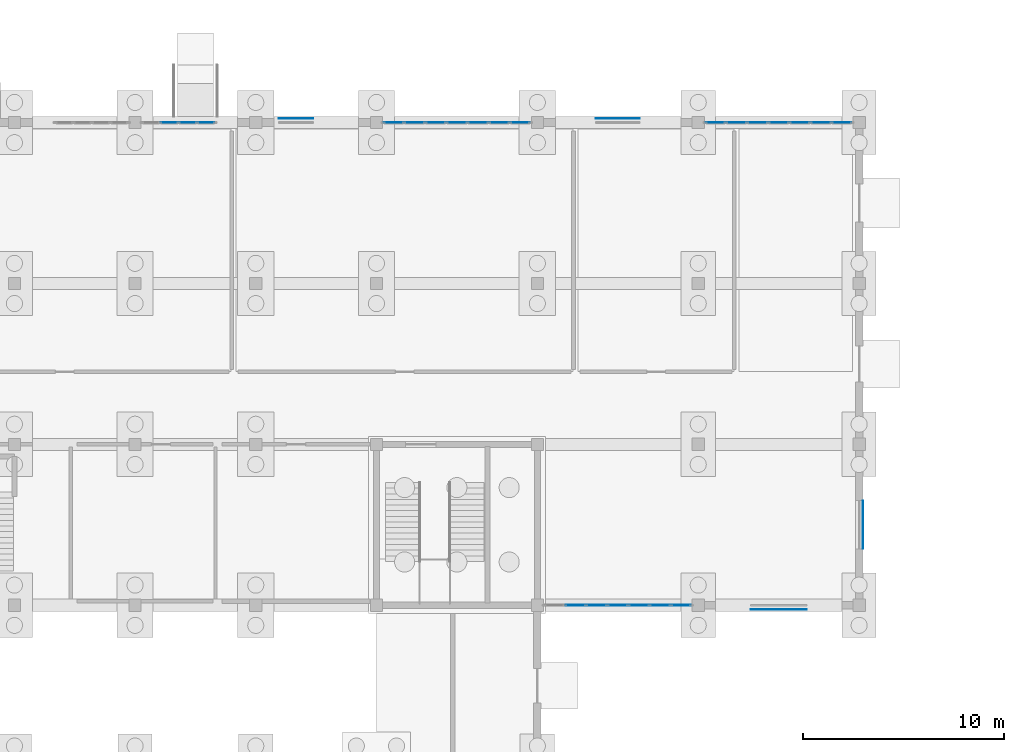
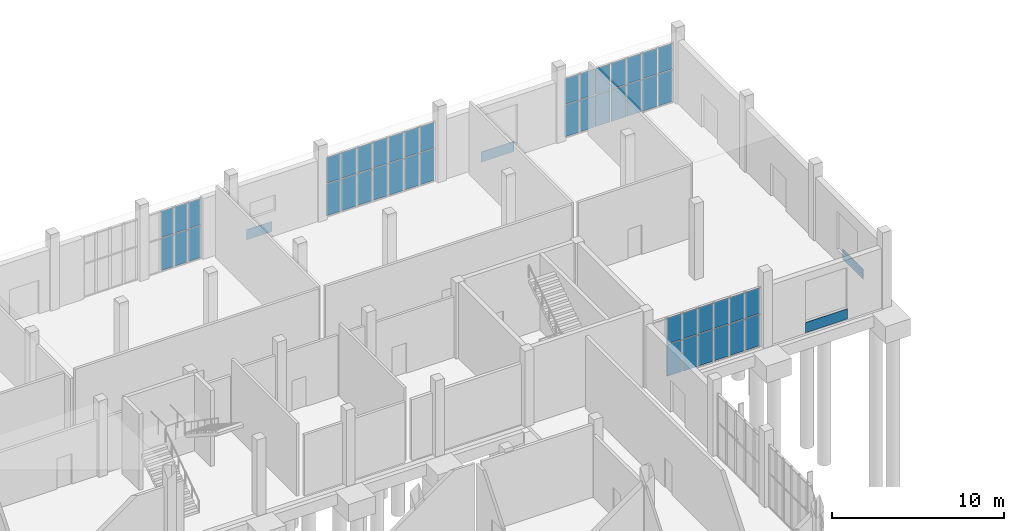
# One storey, part 39 of 69: 50 plates, 4 elements without a shape of their own.
"""IFC4 building model written with IfcOpenShell, lengths in metres."""

from ifc_helpers import new_model, si_unit, direction, frame, origin, origin_2d, place, context, subcontext, project, spatial, rectangle, extrude, material, layer, layer_set, type_object, element, aggregate, save


model = new_model("IFC4")

# Units and contexts
model_context = context("Model", 3, precision=1e-05, world=origin(), true_north=direction((0.0, 1.0)))
body_context = subcontext(model_context, "Body", "Model", "MODEL_VIEW")
ifc_project = project(units=[si_unit("LENGTHUNIT", "METRE"), si_unit("AREAUNIT", "SQUARE_METRE"), si_unit("VOLUMEUNIT", "CUBIC_METRE"), si_unit("PLANEANGLEUNIT", "RADIAN"), si_unit("MASSUNIT", "GRAM", prefix="KILO")], contexts=[model_context])

# Site, building, storey
site_placement = place(None, origin())
site = spatial("IfcSite", under=ifc_project, at=site_placement, CompositionType="ELEMENT")
building_placement = place(site_placement, origin())
building = spatial("IfcBuilding", under=site, at=building_placement, Name="Solvane Community Centre", CompositionType="ELEMENT")
storey_placement = place(building_placement, origin())
storey = spatial("IfcBuildingStorey", under=building, at=storey_placement, Name="L00", CompositionType="ELEMENT", Elevation=0.0)

# Plates
ifc_material_1 = material(Name="Anodised bronze aluminium AW-6063 T6", Category="aluminium")
ifc_layer_1 = layer(ifc_material_1, 0.02392578125)
ifc_layer_set_1 = layer_set([ifc_layer_1], Name="Anodised bronze aluminium AW-6063 T6")
plate_type_1 = type_object("IfcPlateType", Name="Bronze Spandrel Cassette 24mm", PredefinedType="SHEET", material=ifc_layer_set_1)
plate_1_placement = place(storey_placement, frame((56.0, 110.201904296875, 0.06005859375), z_axis=(0.0, 0.0, 1.0), x_axis=(1.0, 0.0, 0.0)))
element("IfcPlate", 1, at=plate_1_placement, inside=storey, type_object=plate_type_1, Name="Art Deco Spandrel SPC-L00-010", PredefinedType="SHEET", context=body_context, shape_type="SweptSolid", body=[
    extrude(rectangle(XDim=1.699951171875, YDim=0.02392578125, at=origin_2d()), origin(), (0.0, 0.0, 1.0), 0.719970703125),
])
plate_2_placement = place(storey_placement, frame((72.0, 110.201904296875, 0.06005859375), z_axis=(0.0, 0.0, 1.0), x_axis=(1.0, 0.0, 0.0)))
element("IfcPlate", 2, at=plate_2_placement, inside=storey, type_object=plate_type_1, Name="Art Deco Spandrel SPC-L00-011", PredefinedType="SHEET", context=body_context, shape_type="SweptSolid", body=[
    extrude(rectangle(XDim=2.199951171875, YDim=0.02392578125, at=origin_2d()), origin(), (0.0, 0.0, 1.0), 0.719970703125),
])
plate_3_placement = place(storey_placement, frame((84.201904296875, 90.0, 0.06005859375), z_axis=(0.0, 0.0, 1.0), x_axis=(0.0, -1.0, 0.0)))
element("IfcPlate", 3, at=plate_3_placement, inside=storey, type_object=plate_type_1, Name="Art Deco Spandrel SPC-L00-012", PredefinedType="SHEET", context=body_context, shape_type="SweptSolid", body=[
    extrude(rectangle(XDim=2.39990234375, YDim=0.02392578125, at=origin_2d()), origin(), (0.0, 0.0, 1.0), 0.719970703125),
])
plate_4_placement = place(storey_placement, frame((80.0, 85.798095703125, 0.06005859375), z_axis=(0.0, 0.0, 1.0), x_axis=(-1.0, 0.0, 0.0)))
element("IfcPlate", 4, at=plate_4_placement, inside=storey, type_object=plate_type_1, Name="Art Deco Spandrel SPC-L00-013", PredefinedType="SHEET", context=body_context, shape_type="SweptSolid", body=[
    extrude(rectangle(XDim=2.800048828125, YDim=0.02392578125, at=origin_2d()), origin(), (0.0, 0.0, 1.0), 0.719970703125),
])

# Curtain wall, plates
ifc_layer_2 = layer(ifc_material_1, 0.18994140625)
ifc_layer_set_2 = layer_set([ifc_layer_2], Name="Anodised bronze aluminium AW-6063 T6")
curtain_wall_type_1 = type_object("IfcCurtainWallType", Name="Boulevard Bronze Vision Curtain Wall [37x43dm]", PredefinedType="NOTDEFINED", material=ifc_layer_set_2)
curtain_wall_1_placement = place(storey_placement, origin())
curtain_wall_1 = element("IfcCurtainWall", 5, at=curtain_wall_1_placement, inside=storey, type_object=curtain_wall_type_1, Name="Curtain Wall CW-L00-483_1100-011", PredefinedType="NOTDEFINED")
ifc_material_2 = material(Name="Tempered low-E double glazing", Category="glass")
ifc_layer_3 = layer(ifc_material_2, 0.028076171875)
ifc_layer_set_3 = layer_set([ifc_layer_3], Name="Tempered low-E double glazing")
plate_type_2 = type_object("IfcPlateType", Name="Low-E Vision Glazing Panel 28mm [37x43dm]", PredefinedType="CURTAIN_PANEL", material=ifc_layer_set_3)
plate_5_placement = place(storey_placement, frame((49.69677734375, 110.0, 0.06005859375), z_axis=(0.0, 0.0, 1.0), x_axis=(1.0, 0.0, 0.0)))
plate_5 = element("IfcPlate", 6, at=plate_5_placement, type_object=plate_type_2, Name="CW02-37x43 panel 2.1", PredefinedType="CURTAIN_PANEL", context=body_context, shape_type="SweptSolid", body=[
    extrude(rectangle(XDim=0.861328125, YDim=0.028076171875, at=origin_2d()), origin(), (0.0, 0.0, 1.0), 2.282958984375),
])
plate_6_placement = place(storey_placement, frame((49.69677734375, 110.0, 2.403076171875), z_axis=(0.0, 0.0, 1.0), x_axis=(1.0, 0.0, 0.0)))
plate_6 = element("IfcPlate", 7, at=plate_6_placement, type_object=plate_type_2, Name="CW02-37x43 panel 2.2", PredefinedType="CURTAIN_PANEL", context=body_context, shape_type="SweptSolid", body=[
    extrude(rectangle(XDim=0.861328125, YDim=0.028076171875, at=origin_2d()), origin(), (0.0, 0.0, 1.0), 1.85205078125),
])
plate_7_placement = place(storey_placement, frame((50.6181640625, 110.0, 0.06005859375), z_axis=(0.0, 0.0, 1.0), x_axis=(1.0, 0.0, 0.0)))
plate_7 = element("IfcPlate", 8, at=plate_7_placement, type_object=plate_type_2, Name="CW02-37x43 panel 3.1", PredefinedType="CURTAIN_PANEL", context=body_context, shape_type="SweptSolid", body=[
    extrude(rectangle(XDim=0.861328125, YDim=0.028076171875, at=origin_2d()), origin(), (0.0, 0.0, 1.0), 2.282958984375),
])
plate_8_placement = place(storey_placement, frame((50.6181640625, 110.0, 2.403076171875), z_axis=(0.0, 0.0, 1.0), x_axis=(1.0, 0.0, 0.0)))
plate_8 = element("IfcPlate", 9, at=plate_8_placement, type_object=plate_type_2, Name="CW02-37x43 panel 3.2", PredefinedType="CURTAIN_PANEL", context=body_context, shape_type="SweptSolid", body=[
    extrude(rectangle(XDim=0.861328125, YDim=0.028076171875, at=origin_2d()), origin(), (0.0, 0.0, 1.0), 1.85205078125),
])
plate_9_placement = place(storey_placement, frame((51.5244140625, 110.0, 0.06005859375), z_axis=(0.0, 0.0, 1.0), x_axis=(1.0, 0.0, 0.0)))
plate_9 = element("IfcPlate", 10, at=plate_9_placement, type_object=plate_type_2, Name="CW02-37x43 panel 4.1", PredefinedType="CURTAIN_PANEL", context=body_context, shape_type="SweptSolid", body=[
    extrude(rectangle(XDim=0.831298828125, YDim=0.028076171875, at=origin_2d()), origin(), (0.0, 0.0, 1.0), 2.282958984375),
])
plate_10_placement = place(storey_placement, frame((51.5244140625, 110.0, 2.403076171875), z_axis=(0.0, 0.0, 1.0), x_axis=(1.0, 0.0, 0.0)))
plate_10 = element("IfcPlate", 11, at=plate_10_placement, type_object=plate_type_2, Name="CW02-37x43 panel 4.2", PredefinedType="CURTAIN_PANEL", context=body_context, shape_type="SweptSolid", body=[
    extrude(rectangle(XDim=0.831298828125, YDim=0.028076171875, at=origin_2d()), origin(), (0.0, 0.0, 1.0), 1.85205078125),
])
aggregate(curtain_wall_1, [plate_5, plate_6, plate_7, plate_8, plate_9, plate_10])

ifc_layer_4 = layer(ifc_material_1, 0.18994140625)
ifc_layer_set_4 = layer_set([ifc_layer_4], Name="Anodised bronze aluminium AW-6063 T6")
curtain_wall_type_2 = type_object("IfcCurtainWallType", Name="Boulevard Bronze Vision Curtain Wall [74x42dm]", PredefinedType="NOTDEFINED", material=ifc_layer_set_4)
curtain_wall_2_placement = place(storey_placement, origin())
curtain_wall_2 = element("IfcCurtainWall", 12, at=curtain_wall_2_placement, inside=storey, type_object=curtain_wall_type_2, Name="Curtain Wall CW-L00-603_1100-012", PredefinedType="NOTDEFINED")
ifc_layer_5 = layer(ifc_material_2, 0.028076171875)
ifc_layer_set_5 = layer_set([ifc_layer_5], Name="Tempered low-E double glazing")
plate_type_3 = type_object("IfcPlateType", Name="Low-E Vision Glazing Panel 28mm [74x42dm]", PredefinedType="CURTAIN_PANEL", material=ifc_layer_set_5)
plate_11_placement = place(storey_placement, frame((60.8564453125, 110.0, 0.06005859375), z_axis=(0.0, 0.0, 1.0), x_axis=(1.0, 0.0, 0.0)))
plate_11 = element("IfcPlate", 13, at=plate_11_placement, type_object=plate_type_3, Name="CW02-74x42 panel 1.1", PredefinedType="CURTAIN_PANEL", context=body_context, shape_type="SweptSolid", body=[
    extrude(rectangle(XDim=0.962890625, YDim=0.028076171875, at=origin_2d()), origin(), (0.0, 0.0, 1.0), 2.2451171875),
])
plate_12_placement = place(storey_placement, frame((60.8564453125, 110.0, 2.36474609375), z_axis=(0.0, 0.0, 1.0), x_axis=(1.0, 0.0, 0.0)))
plate_12 = element("IfcPlate", 14, at=plate_12_placement, type_object=plate_type_3, Name="CW02-74x42 panel 1.2", PredefinedType="CURTAIN_PANEL", context=body_context, shape_type="SweptSolid", body=[
    extrude(rectangle(XDim=0.962890625, YDim=0.028076171875, at=origin_2d()), origin(), (0.0, 0.0, 1.0), 1.820068359375),
])
plate_13_placement = place(storey_placement, frame((61.894287109375, 110.0, 0.06005859375), z_axis=(0.0, 0.0, 1.0), x_axis=(1.0, 0.0, 0.0)))
plate_13 = element("IfcPlate", 15, at=plate_13_placement, type_object=plate_type_3, Name="CW02-74x42 panel 2.1", PredefinedType="CURTAIN_PANEL", context=body_context, shape_type="SweptSolid", body=[
    extrude(rectangle(XDim=0.992919921875, YDim=0.028076171875, at=origin_2d()), origin(), (0.0, 0.0, 1.0), 2.2451171875),
])
plate_14_placement = place(storey_placement, frame((61.894287109375, 110.0, 2.36474609375), z_axis=(0.0, 0.0, 1.0), x_axis=(1.0, 0.0, 0.0)))
plate_14 = element("IfcPlate", 16, at=plate_14_placement, type_object=plate_type_3, Name="CW02-74x42 panel 2.2", PredefinedType="CURTAIN_PANEL", context=body_context, shape_type="SweptSolid", body=[
    extrude(rectangle(XDim=0.992919921875, YDim=0.028076171875, at=origin_2d()), origin(), (0.0, 0.0, 1.0), 1.820068359375),
])
plate_15_placement = place(storey_placement, frame((62.947021484375, 110.0, 0.06005859375), z_axis=(0.0, 0.0, 1.0), x_axis=(1.0, 0.0, 0.0)))
plate_15 = element("IfcPlate", 17, at=plate_15_placement, type_object=plate_type_3, Name="CW02-74x42 panel 3.1", PredefinedType="CURTAIN_PANEL", context=body_context, shape_type="SweptSolid", body=[
    extrude(rectangle(XDim=0.992919921875, YDim=0.028076171875, at=origin_2d()), origin(), (0.0, 0.0, 1.0), 2.2451171875),
])
plate_16_placement = place(storey_placement, frame((62.947021484375, 110.0, 2.36474609375), z_axis=(0.0, 0.0, 1.0), x_axis=(1.0, 0.0, 0.0)))
plate_16 = element("IfcPlate", 18, at=plate_16_placement, type_object=plate_type_3, Name="CW02-74x42 panel 3.2", PredefinedType="CURTAIN_PANEL", context=body_context, shape_type="SweptSolid", body=[
    extrude(rectangle(XDim=0.992919921875, YDim=0.028076171875, at=origin_2d()), origin(), (0.0, 0.0, 1.0), 1.820068359375),
])
plate_17_placement = place(storey_placement, frame((64.0, 110.0, 0.06005859375), z_axis=(0.0, 0.0, 1.0), x_axis=(1.0, 0.0, 0.0)))
plate_17 = element("IfcPlate", 19, at=plate_17_placement, type_object=plate_type_3, Name="CW02-74x42 panel 4.1", PredefinedType="CURTAIN_PANEL", context=body_context, shape_type="SweptSolid", body=[
    extrude(rectangle(XDim=0.992919921875, YDim=0.028076171875, at=origin_2d()), origin(), (0.0, 0.0, 1.0), 2.2451171875),
])
plate_18_placement = place(storey_placement, frame((64.0, 110.0, 2.36474609375), z_axis=(0.0, 0.0, 1.0), x_axis=(1.0, 0.0, 0.0)))
plate_18 = element("IfcPlate", 20, at=plate_18_placement, type_object=plate_type_3, Name="CW02-74x42 panel 4.2", PredefinedType="CURTAIN_PANEL", context=body_context, shape_type="SweptSolid", body=[
    extrude(rectangle(XDim=0.992919921875, YDim=0.028076171875, at=origin_2d()), origin(), (0.0, 0.0, 1.0), 1.820068359375),
])
plate_19_placement = place(storey_placement, frame((65.052978515625, 110.0, 0.06005859375), z_axis=(0.0, 0.0, 1.0), x_axis=(1.0, 0.0, 0.0)))
plate_19 = element("IfcPlate", 21, at=plate_19_placement, type_object=plate_type_3, Name="CW02-74x42 panel 5.1", PredefinedType="CURTAIN_PANEL", context=body_context, shape_type="SweptSolid", body=[
    extrude(rectangle(XDim=0.992919921875, YDim=0.028076171875, at=origin_2d()), origin(), (0.0, 0.0, 1.0), 2.2451171875),
])
plate_20_placement = place(storey_placement, frame((65.052978515625, 110.0, 2.36474609375), z_axis=(0.0, 0.0, 1.0), x_axis=(1.0, 0.0, 0.0)))
plate_20 = element("IfcPlate", 22, at=plate_20_placement, type_object=plate_type_3, Name="CW02-74x42 panel 5.2", PredefinedType="CURTAIN_PANEL", context=body_context, shape_type="SweptSolid", body=[
    extrude(rectangle(XDim=0.992919921875, YDim=0.028076171875, at=origin_2d()), origin(), (0.0, 0.0, 1.0), 1.820068359375),
])
plate_21_placement = place(storey_placement, frame((66.105712890625, 110.0, 0.06005859375), z_axis=(0.0, 0.0, 1.0), x_axis=(1.0, 0.0, 0.0)))
plate_21 = element("IfcPlate", 23, at=plate_21_placement, type_object=plate_type_3, Name="CW02-74x42 panel 6.1", PredefinedType="CURTAIN_PANEL", context=body_context, shape_type="SweptSolid", body=[
    extrude(rectangle(XDim=0.992919921875, YDim=0.028076171875, at=origin_2d()), origin(), (0.0, 0.0, 1.0), 2.2451171875),
])
plate_22_placement = place(storey_placement, frame((66.105712890625, 110.0, 2.36474609375), z_axis=(0.0, 0.0, 1.0), x_axis=(1.0, 0.0, 0.0)))
plate_22 = element("IfcPlate", 24, at=plate_22_placement, type_object=plate_type_3, Name="CW02-74x42 panel 6.2", PredefinedType="CURTAIN_PANEL", context=body_context, shape_type="SweptSolid", body=[
    extrude(rectangle(XDim=0.992919921875, YDim=0.028076171875, at=origin_2d()), origin(), (0.0, 0.0, 1.0), 1.820068359375),
])
plate_23_placement = place(storey_placement, frame((67.1435546875, 110.0, 0.06005859375), z_axis=(0.0, 0.0, 1.0), x_axis=(1.0, 0.0, 0.0)))
plate_23 = element("IfcPlate", 25, at=plate_23_placement, type_object=plate_type_3, Name="CW02-74x42 panel 7.1", PredefinedType="CURTAIN_PANEL", context=body_context, shape_type="SweptSolid", body=[
    extrude(rectangle(XDim=0.962890625, YDim=0.028076171875, at=origin_2d()), origin(), (0.0, 0.0, 1.0), 2.2451171875),
])
plate_24_placement = place(storey_placement, frame((67.1435546875, 110.0, 2.36474609375), z_axis=(0.0, 0.0, 1.0), x_axis=(1.0, 0.0, 0.0)))
plate_24 = element("IfcPlate", 26, at=plate_24_placement, type_object=plate_type_3, Name="CW02-74x42 panel 7.2", PredefinedType="CURTAIN_PANEL", context=body_context, shape_type="SweptSolid", body=[
    extrude(rectangle(XDim=0.962890625, YDim=0.028076171875, at=origin_2d()), origin(), (0.0, 0.0, 1.0), 1.820068359375),
])
aggregate(curtain_wall_2, [plate_11, plate_12, plate_13, plate_14, plate_15, plate_16, plate_17, plate_18, plate_19, plate_20, plate_21, plate_22, plate_23, plate_24])

curtain_wall_3_placement = place(storey_placement, origin())
curtain_wall_3 = element("IfcCurtainWall", 27, at=curtain_wall_3_placement, inside=storey, type_object=curtain_wall_type_2, Name="Curtain Wall CW-L00-763_1100-013", PredefinedType="NOTDEFINED")
plate_25_placement = place(storey_placement, frame((76.860595703125, 110.0, 0.06005859375), z_axis=(0.0, 0.0, 1.0), x_axis=(1.0, 0.0, 0.0)))
plate_25 = element("IfcPlate", 28, at=plate_25_placement, type_object=plate_type_3, Name="CW02-74x42 panel 1.1", PredefinedType="CURTAIN_PANEL", context=body_context, shape_type="SweptSolid", body=[
    extrude(rectangle(XDim=0.96142578125, YDim=0.028076171875, at=origin_2d()), origin(), (0.0, 0.0, 1.0), 2.2451171875),
])
plate_26_placement = place(storey_placement, frame((76.860595703125, 110.0, 2.36474609375), z_axis=(0.0, 0.0, 1.0), x_axis=(1.0, 0.0, 0.0)))
plate_26 = element("IfcPlate", 29, at=plate_26_placement, type_object=plate_type_3, Name="CW02-74x42 panel 1.2", PredefinedType="CURTAIN_PANEL", context=body_context, shape_type="SweptSolid", body=[
    extrude(rectangle(XDim=0.96142578125, YDim=0.028076171875, at=origin_2d()), origin(), (0.0, 0.0, 1.0), 1.820068359375),
])
plate_27_placement = place(storey_placement, frame((77.897216796875, 110.0, 0.06005859375), z_axis=(0.0, 0.0, 1.0), x_axis=(1.0, 0.0, 0.0)))
plate_27 = element("IfcPlate", 30, at=plate_27_placement, type_object=plate_type_3, Name="CW02-74x42 panel 2.1", PredefinedType="CURTAIN_PANEL", context=body_context, shape_type="SweptSolid", body=[
    extrude(rectangle(XDim=0.991455078125, YDim=0.028076171875, at=origin_2d()), origin(), (0.0, 0.0, 1.0), 2.2451171875),
])
plate_28_placement = place(storey_placement, frame((77.897216796875, 110.0, 2.36474609375), z_axis=(0.0, 0.0, 1.0), x_axis=(1.0, 0.0, 0.0)))
plate_28 = element("IfcPlate", 31, at=plate_28_placement, type_object=plate_type_3, Name="CW02-74x42 panel 2.2", PredefinedType="CURTAIN_PANEL", context=body_context, shape_type="SweptSolid", body=[
    extrude(rectangle(XDim=0.991455078125, YDim=0.028076171875, at=origin_2d()), origin(), (0.0, 0.0, 1.0), 1.820068359375),
])
plate_29_placement = place(storey_placement, frame((78.948486328125, 110.0, 0.06005859375), z_axis=(0.0, 0.0, 1.0), x_axis=(1.0, 0.0, 0.0)))
plate_29 = element("IfcPlate", 32, at=plate_29_placement, type_object=plate_type_3, Name="CW02-74x42 panel 3.1", PredefinedType="CURTAIN_PANEL", context=body_context, shape_type="SweptSolid", body=[
    extrude(rectangle(XDim=0.991455078125, YDim=0.028076171875, at=origin_2d()), origin(), (0.0, 0.0, 1.0), 2.2451171875),
])
plate_30_placement = place(storey_placement, frame((78.948486328125, 110.0, 2.36474609375), z_axis=(0.0, 0.0, 1.0), x_axis=(1.0, 0.0, 0.0)))
plate_30 = element("IfcPlate", 33, at=plate_30_placement, type_object=plate_type_3, Name="CW02-74x42 panel 3.2", PredefinedType="CURTAIN_PANEL", context=body_context, shape_type="SweptSolid", body=[
    extrude(rectangle(XDim=0.991455078125, YDim=0.028076171875, at=origin_2d()), origin(), (0.0, 0.0, 1.0), 1.820068359375),
])
plate_31_placement = place(storey_placement, frame((80.0, 110.0, 0.06005859375), z_axis=(0.0, 0.0, 1.0), x_axis=(1.0, 0.0, 0.0)))
plate_31 = element("IfcPlate", 34, at=plate_31_placement, type_object=plate_type_3, Name="CW02-74x42 panel 4.1", PredefinedType="CURTAIN_PANEL", context=body_context, shape_type="SweptSolid", body=[
    extrude(rectangle(XDim=0.991455078125, YDim=0.028076171875, at=origin_2d()), origin(), (0.0, 0.0, 1.0), 2.2451171875),
])
plate_32_placement = place(storey_placement, frame((80.0, 110.0, 2.36474609375), z_axis=(0.0, 0.0, 1.0), x_axis=(1.0, 0.0, 0.0)))
plate_32 = element("IfcPlate", 35, at=plate_32_placement, type_object=plate_type_3, Name="CW02-74x42 panel 4.2", PredefinedType="CURTAIN_PANEL", context=body_context, shape_type="SweptSolid", body=[
    extrude(rectangle(XDim=0.991455078125, YDim=0.028076171875, at=origin_2d()), origin(), (0.0, 0.0, 1.0), 1.820068359375),
])
plate_33_placement = place(storey_placement, frame((81.051513671875, 110.0, 0.06005859375), z_axis=(0.0, 0.0, 1.0), x_axis=(1.0, 0.0, 0.0)))
plate_33 = element("IfcPlate", 36, at=plate_33_placement, type_object=plate_type_3, Name="CW02-74x42 panel 5.1", PredefinedType="CURTAIN_PANEL", context=body_context, shape_type="SweptSolid", body=[
    extrude(rectangle(XDim=0.991455078125, YDim=0.028076171875, at=origin_2d()), origin(), (0.0, 0.0, 1.0), 2.2451171875),
])
plate_34_placement = place(storey_placement, frame((81.051513671875, 110.0, 2.36474609375), z_axis=(0.0, 0.0, 1.0), x_axis=(1.0, 0.0, 0.0)))
plate_34 = element("IfcPlate", 37, at=plate_34_placement, type_object=plate_type_3, Name="CW02-74x42 panel 5.2", PredefinedType="CURTAIN_PANEL", context=body_context, shape_type="SweptSolid", body=[
    extrude(rectangle(XDim=0.991455078125, YDim=0.028076171875, at=origin_2d()), origin(), (0.0, 0.0, 1.0), 1.820068359375),
])
plate_35_placement = place(storey_placement, frame((82.102783203125, 110.0, 0.06005859375), z_axis=(0.0, 0.0, 1.0), x_axis=(1.0, 0.0, 0.0)))
plate_35 = element("IfcPlate", 38, at=plate_35_placement, type_object=plate_type_3, Name="CW02-74x42 panel 6.1", PredefinedType="CURTAIN_PANEL", context=body_context, shape_type="SweptSolid", body=[
    extrude(rectangle(XDim=0.991455078125, YDim=0.028076171875, at=origin_2d()), origin(), (0.0, 0.0, 1.0), 2.2451171875),
])
plate_36_placement = place(storey_placement, frame((82.102783203125, 110.0, 2.36474609375), z_axis=(0.0, 0.0, 1.0), x_axis=(1.0, 0.0, 0.0)))
plate_36 = element("IfcPlate", 39, at=plate_36_placement, type_object=plate_type_3, Name="CW02-74x42 panel 6.2", PredefinedType="CURTAIN_PANEL", context=body_context, shape_type="SweptSolid", body=[
    extrude(rectangle(XDim=0.991455078125, YDim=0.028076171875, at=origin_2d()), origin(), (0.0, 0.0, 1.0), 1.820068359375),
])
plate_37_placement = place(storey_placement, frame((83.139404296875, 110.0, 0.06005859375), z_axis=(0.0, 0.0, 1.0), x_axis=(1.0, 0.0, 0.0)))
plate_37 = element("IfcPlate", 40, at=plate_37_placement, type_object=plate_type_3, Name="CW02-74x42 panel 7.1", PredefinedType="CURTAIN_PANEL", context=body_context, shape_type="SweptSolid", body=[
    extrude(rectangle(XDim=0.96142578125, YDim=0.028076171875, at=origin_2d()), origin(), (0.0, 0.0, 1.0), 2.2451171875),
])
plate_38_placement = place(storey_placement, frame((83.139404296875, 110.0, 2.36474609375), z_axis=(0.0, 0.0, 1.0), x_axis=(1.0, 0.0, 0.0)))
plate_38 = element("IfcPlate", 41, at=plate_38_placement, type_object=plate_type_3, Name="CW02-74x42 panel 7.2", PredefinedType="CURTAIN_PANEL", context=body_context, shape_type="SweptSolid", body=[
    extrude(rectangle(XDim=0.96142578125, YDim=0.028076171875, at=origin_2d()), origin(), (0.0, 0.0, 1.0), 1.820068359375),
])
aggregate(curtain_wall_3, [plate_25, plate_26, plate_27, plate_28, plate_29, plate_30, plate_31, plate_32, plate_33, plate_34, plate_35, plate_36, plate_37, plate_38])

curtain_wall_4_placement = place(storey_placement, origin())
curtain_wall_4 = element("IfcCurtainWall", 42, at=curtain_wall_4_placement, inside=storey, type_object=curtain_wall_type_2, Name="Curtain Wall CW-L00-757_860-014", PredefinedType="NOTDEFINED")
plate_39_placement = place(storey_placement, frame((75.138916015625, 86.0, 0.06005859375), z_axis=(0.0, 0.0, 1.0), x_axis=(-1.0, 0.0, 0.0)))
plate_39 = element("IfcPlate", 43, at=plate_39_placement, type_object=plate_type_3, Name="CW02-74x42 panel 1.1", PredefinedType="CURTAIN_PANEL", context=body_context, shape_type="SweptSolid", body=[
    extrude(rectangle(XDim=0.962158203125, YDim=0.028076171875, at=origin_2d()), origin(), (0.0, 0.0, 1.0), 2.2451171875),
])
plate_40_placement = place(storey_placement, frame((75.138916015625, 86.0, 2.36474609375), z_axis=(0.0, 0.0, 1.0), x_axis=(-1.0, 0.0, 0.0)))
plate_40 = element("IfcPlate", 44, at=plate_40_placement, type_object=plate_type_3, Name="CW02-74x42 panel 1.2", PredefinedType="CURTAIN_PANEL", context=body_context, shape_type="SweptSolid", body=[
    extrude(rectangle(XDim=0.962158203125, YDim=0.028076171875, at=origin_2d()), origin(), (0.0, 0.0, 1.0), 1.820068359375),
])
plate_41_placement = place(storey_placement, frame((74.101806640625, 86.0, 0.06005859375), z_axis=(0.0, 0.0, 1.0), x_axis=(-1.0, 0.0, 0.0)))
plate_41 = element("IfcPlate", 45, at=plate_41_placement, type_object=plate_type_3, Name="CW02-74x42 panel 2.1", PredefinedType="CURTAIN_PANEL", context=body_context, shape_type="SweptSolid", body=[
    extrude(rectangle(XDim=0.9921875, YDim=0.028076171875, at=origin_2d()), origin(), (0.0, 0.0, 1.0), 2.2451171875),
])
plate_42_placement = place(storey_placement, frame((74.101806640625, 86.0, 2.36474609375), z_axis=(0.0, 0.0, 1.0), x_axis=(-1.0, 0.0, 0.0)))
plate_42 = element("IfcPlate", 46, at=plate_42_placement, type_object=plate_type_3, Name="CW02-74x42 panel 2.2", PredefinedType="CURTAIN_PANEL", context=body_context, shape_type="SweptSolid", body=[
    extrude(rectangle(XDim=0.9921875, YDim=0.028076171875, at=origin_2d()), origin(), (0.0, 0.0, 1.0), 1.820068359375),
])
plate_43_placement = place(storey_placement, frame((73.049560546875, 86.0, 0.06005859375), z_axis=(0.0, 0.0, 1.0), x_axis=(-1.0, 0.0, 0.0)))
plate_43 = element("IfcPlate", 47, at=plate_43_placement, type_object=plate_type_3, Name="CW02-74x42 panel 3.1", PredefinedType="CURTAIN_PANEL", context=body_context, shape_type="SweptSolid", body=[
    extrude(rectangle(XDim=0.9921875, YDim=0.028076171875, at=origin_2d()), origin(), (0.0, 0.0, 1.0), 2.2451171875),
])
plate_44_placement = place(storey_placement, frame((73.049560546875, 86.0, 2.36474609375), z_axis=(0.0, 0.0, 1.0), x_axis=(-1.0, 0.0, 0.0)))
plate_44 = element("IfcPlate", 48, at=plate_44_placement, type_object=plate_type_3, Name="CW02-74x42 panel 3.2", PredefinedType="CURTAIN_PANEL", context=body_context, shape_type="SweptSolid", body=[
    extrude(rectangle(XDim=0.9921875, YDim=0.028076171875, at=origin_2d()), origin(), (0.0, 0.0, 1.0), 1.820068359375),
])
plate_45_placement = place(storey_placement, frame((71.99755859375, 86.0, 0.06005859375), z_axis=(0.0, 0.0, 1.0), x_axis=(-1.0, 0.0, 0.0)))
plate_45 = element("IfcPlate", 49, at=plate_45_placement, type_object=plate_type_3, Name="CW02-74x42 panel 4.1", PredefinedType="CURTAIN_PANEL", context=body_context, shape_type="SweptSolid", body=[
    extrude(rectangle(XDim=0.9921875, YDim=0.028076171875, at=origin_2d()), origin(), (0.0, 0.0, 1.0), 2.2451171875),
])
plate_46_placement = place(storey_placement, frame((71.99755859375, 86.0, 2.36474609375), z_axis=(0.0, 0.0, 1.0), x_axis=(-1.0, 0.0, 0.0)))
plate_46 = element("IfcPlate", 50, at=plate_46_placement, type_object=plate_type_3, Name="CW02-74x42 panel 4.2", PredefinedType="CURTAIN_PANEL", context=body_context, shape_type="SweptSolid", body=[
    extrude(rectangle(XDim=0.9921875, YDim=0.028076171875, at=origin_2d()), origin(), (0.0, 0.0, 1.0), 1.820068359375),
])
plate_47_placement = place(storey_placement, frame((70.9453125, 86.0, 0.06005859375), z_axis=(0.0, 0.0, 1.0), x_axis=(-1.0, 0.0, 0.0)))
plate_47 = element("IfcPlate", 51, at=plate_47_placement, type_object=plate_type_3, Name="CW02-74x42 panel 5.1", PredefinedType="CURTAIN_PANEL", context=body_context, shape_type="SweptSolid", body=[
    extrude(rectangle(XDim=0.9921875, YDim=0.028076171875, at=origin_2d()), origin(), (0.0, 0.0, 1.0), 2.2451171875),
])
plate_48_placement = place(storey_placement, frame((70.9453125, 86.0, 2.36474609375), z_axis=(0.0, 0.0, 1.0), x_axis=(-1.0, 0.0, 0.0)))
plate_48 = element("IfcPlate", 52, at=plate_48_placement, type_object=plate_type_3, Name="CW02-74x42 panel 5.2", PredefinedType="CURTAIN_PANEL", context=body_context, shape_type="SweptSolid", body=[
    extrude(rectangle(XDim=0.9921875, YDim=0.028076171875, at=origin_2d()), origin(), (0.0, 0.0, 1.0), 1.820068359375),
])
plate_49_placement = place(storey_placement, frame((69.893310546875, 86.0, 0.06005859375), z_axis=(0.0, 0.0, 1.0), x_axis=(-1.0, 0.0, 0.0)))
plate_49 = element("IfcPlate", 53, at=plate_49_placement, type_object=plate_type_3, Name="CW02-74x42 panel 6.1", PredefinedType="CURTAIN_PANEL", context=body_context, shape_type="SweptSolid", body=[
    extrude(rectangle(XDim=0.9921875, YDim=0.028076171875, at=origin_2d()), origin(), (0.0, 0.0, 1.0), 2.2451171875),
])
plate_50_placement = place(storey_placement, frame((69.893310546875, 86.0, 2.36474609375), z_axis=(0.0, 0.0, 1.0), x_axis=(-1.0, 0.0, 0.0)))
plate_50 = element("IfcPlate", 54, at=plate_50_placement, type_object=plate_type_3, Name="CW02-74x42 panel 6.2", PredefinedType="CURTAIN_PANEL", context=body_context, shape_type="SweptSolid", body=[
    extrude(rectangle(XDim=0.9921875, YDim=0.028076171875, at=origin_2d()), origin(), (0.0, 0.0, 1.0), 1.820068359375),
])
aggregate(curtain_wall_4, [plate_39, plate_40, plate_41, plate_42, plate_43, plate_44, plate_45, plate_46, plate_47, plate_48, plate_49, plate_50])

save(model, "model.ifc")
